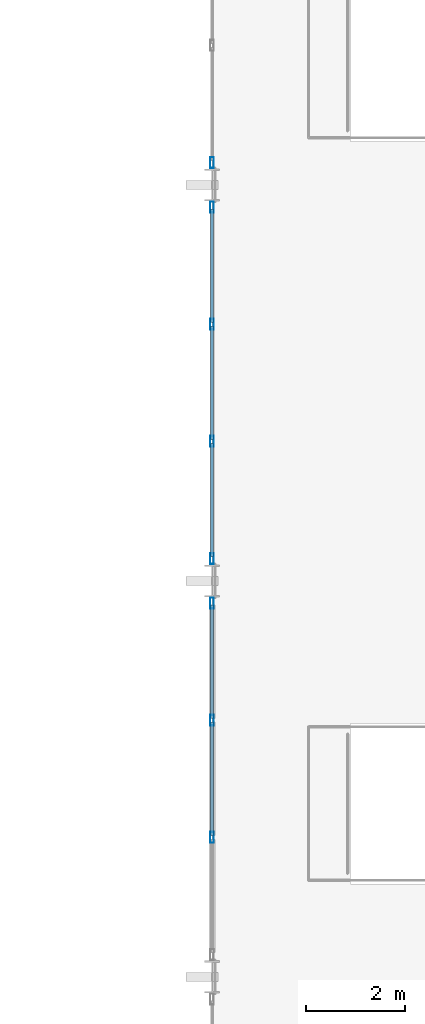
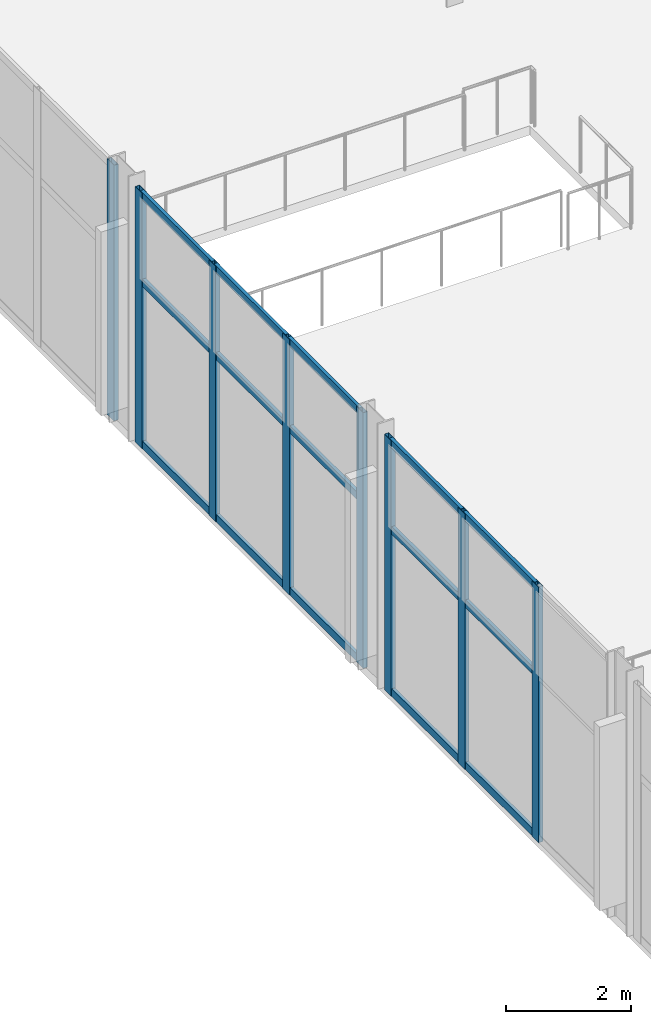
# One storey, part 47 of 195: 23 members, 3 elements without a shape of their own.
"""IFC4 building model written with IfcOpenShell, lengths in metres."""

from ifc_helpers import new_model, si_unit, direction, frame, origin, origin_2d, place, context, subcontext, project, spatial, hollow_rectangle, extrude, material, layer, layer_set, material_profile, profile_set, type_object, element, aggregate, save


model = new_model("IFC4")

# Units and contexts
model_context = context("Model", 3, precision=1e-05, world=origin(), true_north=direction((0.0, 1.0)))
body_context = subcontext(model_context, "Body", "Model", "MODEL_VIEW")
ifc_project = project(units=[si_unit("LENGTHUNIT", "METRE"), si_unit("AREAUNIT", "SQUARE_METRE"), si_unit("VOLUMEUNIT", "CUBIC_METRE"), si_unit("PLANEANGLEUNIT", "RADIAN"), si_unit("MASSUNIT", "GRAM", prefix="KILO")], contexts=[model_context])

# Site, building, storey
site_placement = place(None, origin())
site = spatial("IfcSite", under=ifc_project, at=site_placement, CompositionType="ELEMENT")
building_placement = place(site_placement, origin())
building = spatial("IfcBuilding", under=site, at=building_placement, Name="Marlcrest Central Station", CompositionType="ELEMENT")
storey_placement = place(building_placement, frame((0.0, 0.0, 9.800048828125)))
storey = spatial("IfcBuildingStorey", under=building, at=storey_placement, Name="L02", CompositionType="ELEMENT", Elevation=9.800048828125)

# Curtain wall, members
ifc_material_1 = material(Name="Anodised aluminium and hurricane laminated glass", Category="aluminium")
ifc_layer = layer(ifc_material_1, 0.219970703125, Name="CW-U1")
ifc_layer_set = layer_set([ifc_layer], Name="Anodised aluminium and hurricane laminated glass")
curtain_wall_type = type_object("IfcCurtainWallType", Name="CW-U1", PredefinedType="USERDEFINED", material=ifc_layer_set)
curtain_wall_1_placement = place(storey_placement, origin())
curtain_wall_1 = element("IfcCurtainWall", 1, at=curtain_wall_1_placement, inside=storey, type_object=curtain_wall_type, Name="cw-L02-0119", ObjectType="UNITISED_CURTAIN_WALL", PredefinedType="USERDEFINED")
ifc_material_2 = material(Name="Anodised aluminium 6063-T6", Category="aluminium")
ifc_material_profile_1 = material_profile(ifc_material_2, hollow_rectangle(XDim=0.080078125, YDim=0.219970703125, WallThickness=0.006103515625, at=origin_2d()), Name="AA-RHS 220x80x6")
ifc_profile_set_1 = profile_set([ifc_material_profile_1], Name="Anodised aluminium 6063-T6")
member_type_1 = type_object("IfcMemberType", Name="ML-01", PredefinedType="MULLION", material=ifc_profile_set_1)
member_1_placement = place(storey_placement, frame((87.0, 65.316650390625, -0.030029296875), z_axis=(0.0, 0.0, 1.0), x_axis=(1.0, 0.0, 0.0)))
member_1 = element("IfcMember", 2, at=member_1_placement, type_object=member_type_1, Name="cw-L02-0119-ml-1", PredefinedType="MULLION", context=body_context, shape_type="SweptSolid", body=[
    extrude(hollow_rectangle(XDim=0.080078125, YDim=0.219970703125, WallThickness=0.006103515625, at=origin_2d()), origin(), (0.0, 0.0, 1.0), 5.010009765625),
])
member_2_placement = place(storey_placement, frame((87.0, 67.683349609375, -0.030029296875), z_axis=(0.0, 0.0, 1.0), x_axis=(1.0, 0.0, 0.0)))
member_2 = element("IfcMember", 3, at=member_2_placement, type_object=member_type_1, Name="cw-L02-0119-ml-2", PredefinedType="MULLION", context=body_context, shape_type="SweptSolid", body=[
    extrude(hollow_rectangle(XDim=0.080078125, YDim=0.219970703125, WallThickness=0.006103515625, at=origin_2d()), origin(), (0.0, 0.0, 1.0), 5.010009765625),
])
member_3_placement = place(storey_placement, frame((87.0, 70.050048828125, -0.030029296875), z_axis=(0.0, 0.0, 1.0), x_axis=(1.0, 0.0, 0.0)))
member_3 = element("IfcMember", 4, at=member_3_placement, type_object=member_type_1, Name="cw-L02-0119-ml-3", PredefinedType="MULLION", context=body_context, shape_type="SweptSolid", body=[
    extrude(hollow_rectangle(XDim=0.080078125, YDim=0.219970703125, WallThickness=0.006103515625, at=origin_2d()), origin(), (0.0, 0.0, 1.0), 5.010009765625),
])

curtain_wall_2_placement = place(storey_placement, origin())
curtain_wall_2 = element("IfcCurtainWall", 5, at=curtain_wall_2_placement, inside=storey, type_object=curtain_wall_type, Name="cw-L02-0123", ObjectType="UNITISED_CURTAIN_WALL", PredefinedType="USERDEFINED")
member_4_placement = place(storey_placement, frame((87.0, 70.949951171875, -0.030029296875), z_axis=(0.0, 0.0, 1.0), x_axis=(1.0, 0.0, 0.0)))
member_4 = element("IfcMember", 6, at=member_4_placement, type_object=member_type_1, Name="cw-L02-0123-ml-0", PredefinedType="MULLION", context=body_context, shape_type="SweptSolid", body=[
    extrude(hollow_rectangle(XDim=0.080078125, YDim=0.219970703125, WallThickness=0.006103515625, at=origin_2d()), origin(), (0.0, 0.0, 1.0), 5.010009765625),
])
member_5_placement = place(storey_placement, frame((87.0, 73.316650390625, -0.030029296875), z_axis=(0.0, 0.0, 1.0), x_axis=(1.0, 0.0, 0.0)))
member_5 = element("IfcMember", 7, at=member_5_placement, type_object=member_type_1, Name="cw-L02-0123-ml-1", PredefinedType="MULLION", context=body_context, shape_type="SweptSolid", body=[
    extrude(hollow_rectangle(XDim=0.080078125, YDim=0.219970703125, WallThickness=0.006103515625, at=origin_2d()), origin(), (0.0, 0.0, 1.0), 5.010009765625),
])
member_6_placement = place(storey_placement, frame((87.0, 75.683349609375, -0.030029296875), z_axis=(0.0, 0.0, 1.0), x_axis=(1.0, 0.0, 0.0)))
member_6 = element("IfcMember", 8, at=member_6_placement, type_object=member_type_1, Name="cw-L02-0123-ml-2", PredefinedType="MULLION", context=body_context, shape_type="SweptSolid", body=[
    extrude(hollow_rectangle(XDim=0.080078125, YDim=0.219970703125, WallThickness=0.006103515625, at=origin_2d()), origin(), (0.0, 0.0, 1.0), 5.010009765625),
])
member_7_placement = place(storey_placement, frame((87.0, 78.050048828125, -0.030029296875), z_axis=(0.0, 0.0, 1.0), x_axis=(1.0, 0.0, 0.0)))
member_7 = element("IfcMember", 9, at=member_7_placement, type_object=member_type_1, Name="cw-L02-0123-ml-3", PredefinedType="MULLION", context=body_context, shape_type="SweptSolid", body=[
    extrude(hollow_rectangle(XDim=0.080078125, YDim=0.219970703125, WallThickness=0.006103515625, at=origin_2d()), origin(), (0.0, 0.0, 1.0), 5.010009765625),
])

# Curtain wall, member
curtain_wall_3_placement = place(storey_placement, origin())
curtain_wall_3 = element("IfcCurtainWall", 10, at=curtain_wall_3_placement, inside=storey, type_object=curtain_wall_type, Name="cw-L02-0127", ObjectType="UNITISED_CURTAIN_WALL", PredefinedType="USERDEFINED")
member_8_placement = place(storey_placement, frame((87.0, 78.949951171875, -0.030029296875), z_axis=(0.0, 0.0, 1.0), x_axis=(1.0, 0.0, 0.0)))
member_8 = element("IfcMember", 11, at=member_8_placement, type_object=member_type_1, Name="cw-L02-0127-ml-0", PredefinedType="MULLION", context=body_context, shape_type="SweptSolid", body=[
    extrude(hollow_rectangle(XDim=0.080078125, YDim=0.219970703125, WallThickness=0.006103515625, at=origin_2d()), origin(), (0.0, 0.0, 1.0), 5.010009765625),
])
aggregate(curtain_wall_3, [member_8])

# Member
ifc_material_profile_2 = material_profile(ifc_material_2, hollow_rectangle(XDim=0.06005859375, YDim=0.14990234375, WallThickness=0.00390625, at=origin_2d()), Name="AA-RHS 150x60x4")
ifc_profile_set_2 = profile_set([ifc_material_profile_2], Name="Anodised aluminium 6063-T6")
member_type_2 = type_object("IfcMemberType", Name="TR-01", PredefinedType="USERDEFINED", material=ifc_profile_set_2)
member_9_placement = place(storey_placement, frame((87.0, 65.354736328125, 0.0400390625), z_axis=(0.0, 1.0, 0.0), x_axis=(-1.0, 0.0, 0.0)))
member_9 = element("IfcMember", 12, at=member_9_placement, type_object=member_type_2, Name="cw-L02-0119-tr-1-sill", ObjectType="TRANSOM", PredefinedType="USERDEFINED", context=body_context, shape_type="SweptSolid", body=[
    extrude(hollow_rectangle(XDim=0.06005859375, YDim=0.14990234375, WallThickness=0.00390625, at=origin_2d()), origin(), (0.0, 0.0, 1.0), 2.29052734375),
])

member_10_placement = place(storey_placement, frame((87.0, 65.354736328125, 3.218017578125), z_axis=(0.0, 1.0, 0.0), x_axis=(-1.0, 0.0, 0.0)))
member_10 = element("IfcMember", 13, at=member_10_placement, type_object=member_type_2, Name="cw-L02-0119-tr-1-mid", ObjectType="TRANSOM", PredefinedType="USERDEFINED", context=body_context, shape_type="SweptSolid", body=[
    extrude(hollow_rectangle(XDim=0.06005859375, YDim=0.14990234375, WallThickness=0.00390625, at=origin_2d()), origin(), (0.0, 0.0, 1.0), 2.29052734375),
])

member_11_placement = place(storey_placement, frame((87.0, 65.354736328125, 4.909912109375), z_axis=(0.0, 1.0, 0.0), x_axis=(-1.0, 0.0, 0.0)))
member_11 = element("IfcMember", 14, at=member_11_placement, type_object=member_type_2, Name="cw-L02-0119-tr-1-head", ObjectType="TRANSOM", PredefinedType="USERDEFINED", context=body_context, shape_type="SweptSolid", body=[
    extrude(hollow_rectangle(XDim=0.06005859375, YDim=0.14990234375, WallThickness=0.00390625, at=origin_2d()), origin(), (0.0, 0.0, 1.0), 2.29052734375),
])

member_12_placement = place(storey_placement, frame((87.0, 67.72119140625, 0.0400390625), z_axis=(0.0, 1.0, 0.0), x_axis=(-1.0, 0.0, 0.0)))
member_12 = element("IfcMember", 15, at=member_12_placement, type_object=member_type_2, Name="cw-L02-0119-tr-2-sill", ObjectType="TRANSOM", PredefinedType="USERDEFINED", context=body_context, shape_type="SweptSolid", body=[
    extrude(hollow_rectangle(XDim=0.06005859375, YDim=0.14990234375, WallThickness=0.00390625, at=origin_2d()), origin(), (0.0, 0.0, 1.0), 2.290771484375),
])

member_13_placement = place(storey_placement, frame((87.0, 67.72119140625, 3.218017578125), z_axis=(0.0, 1.0, 0.0), x_axis=(-1.0, 0.0, 0.0)))
member_13 = element("IfcMember", 16, at=member_13_placement, type_object=member_type_2, Name="cw-L02-0119-tr-2-mid", ObjectType="TRANSOM", PredefinedType="USERDEFINED", context=body_context, shape_type="SweptSolid", body=[
    extrude(hollow_rectangle(XDim=0.06005859375, YDim=0.14990234375, WallThickness=0.00390625, at=origin_2d()), origin(), (0.0, 0.0, 1.0), 2.290771484375),
])

member_14_placement = place(storey_placement, frame((87.0, 67.72119140625, 4.909912109375), z_axis=(0.0, 1.0, 0.0), x_axis=(-1.0, 0.0, 0.0)))
member_14 = element("IfcMember", 17, at=member_14_placement, type_object=member_type_2, Name="cw-L02-0119-tr-2-head", ObjectType="TRANSOM", PredefinedType="USERDEFINED", context=body_context, shape_type="SweptSolid", body=[
    extrude(hollow_rectangle(XDim=0.06005859375, YDim=0.14990234375, WallThickness=0.00390625, at=origin_2d()), origin(), (0.0, 0.0, 1.0), 2.290771484375),
])

aggregate(curtain_wall_1, [member_1, member_2, member_3, member_9, member_10, member_11, member_12, member_13, member_14])

member_15_placement = place(storey_placement, frame((87.0, 70.988037109375, 0.0400390625), z_axis=(0.0, 1.0, 0.0), x_axis=(-1.0, 0.0, 0.0)))
member_15 = element("IfcMember", 18, at=member_15_placement, type_object=member_type_2, Name="cw-L02-0123-tr-0-sill", ObjectType="TRANSOM", PredefinedType="USERDEFINED", context=body_context, shape_type="SweptSolid", body=[
    extrude(hollow_rectangle(XDim=0.06005859375, YDim=0.14990234375, WallThickness=0.00390625, at=origin_2d()), origin(), (0.0, 0.0, 1.0), 2.290771484375),
])

member_16_placement = place(storey_placement, frame((87.0, 70.988037109375, 3.218017578125), z_axis=(0.0, 1.0, 0.0), x_axis=(-1.0, 0.0, 0.0)))
member_16 = element("IfcMember", 19, at=member_16_placement, type_object=member_type_2, Name="cw-L02-0123-tr-0-mid", ObjectType="TRANSOM", PredefinedType="USERDEFINED", context=body_context, shape_type="SweptSolid", body=[
    extrude(hollow_rectangle(XDim=0.06005859375, YDim=0.14990234375, WallThickness=0.00390625, at=origin_2d()), origin(), (0.0, 0.0, 1.0), 2.290771484375),
])

member_17_placement = place(storey_placement, frame((87.0, 70.988037109375, 4.909912109375), z_axis=(0.0, 1.0, 0.0), x_axis=(-1.0, 0.0, 0.0)))
member_17 = element("IfcMember", 20, at=member_17_placement, type_object=member_type_2, Name="cw-L02-0123-tr-0-head", ObjectType="TRANSOM", PredefinedType="USERDEFINED", context=body_context, shape_type="SweptSolid", body=[
    extrude(hollow_rectangle(XDim=0.06005859375, YDim=0.14990234375, WallThickness=0.00390625, at=origin_2d()), origin(), (0.0, 0.0, 1.0), 2.290771484375),
])

member_18_placement = place(storey_placement, frame((87.0, 73.354736328125, 0.0400390625), z_axis=(0.0, 1.0, 0.0), x_axis=(-1.0, 0.0, 0.0)))
member_18 = element("IfcMember", 21, at=member_18_placement, type_object=member_type_2, Name="cw-L02-0123-tr-1-sill", ObjectType="TRANSOM", PredefinedType="USERDEFINED", context=body_context, shape_type="SweptSolid", body=[
    extrude(hollow_rectangle(XDim=0.06005859375, YDim=0.14990234375, WallThickness=0.00390625, at=origin_2d()), origin(), (0.0, 0.0, 1.0), 2.29052734375),
])

member_19_placement = place(storey_placement, frame((87.0, 73.354736328125, 3.218017578125), z_axis=(0.0, 1.0, 0.0), x_axis=(-1.0, 0.0, 0.0)))
member_19 = element("IfcMember", 22, at=member_19_placement, type_object=member_type_2, Name="cw-L02-0123-tr-1-mid", ObjectType="TRANSOM", PredefinedType="USERDEFINED", context=body_context, shape_type="SweptSolid", body=[
    extrude(hollow_rectangle(XDim=0.06005859375, YDim=0.14990234375, WallThickness=0.00390625, at=origin_2d()), origin(), (0.0, 0.0, 1.0), 2.29052734375),
])

member_20_placement = place(storey_placement, frame((87.0, 73.354736328125, 4.909912109375), z_axis=(0.0, 1.0, 0.0), x_axis=(-1.0, 0.0, 0.0)))
member_20 = element("IfcMember", 23, at=member_20_placement, type_object=member_type_2, Name="cw-L02-0123-tr-1-head", ObjectType="TRANSOM", PredefinedType="USERDEFINED", context=body_context, shape_type="SweptSolid", body=[
    extrude(hollow_rectangle(XDim=0.06005859375, YDim=0.14990234375, WallThickness=0.00390625, at=origin_2d()), origin(), (0.0, 0.0, 1.0), 2.29052734375),
])

member_21_placement = place(storey_placement, frame((87.0, 75.72119140625, 0.0400390625), z_axis=(0.0, 1.0, 0.0), x_axis=(-1.0, 0.0, 0.0)))
member_21 = element("IfcMember", 24, at=member_21_placement, type_object=member_type_2, Name="cw-L02-0123-tr-2-sill", ObjectType="TRANSOM", PredefinedType="USERDEFINED", context=body_context, shape_type="SweptSolid", body=[
    extrude(hollow_rectangle(XDim=0.06005859375, YDim=0.14990234375, WallThickness=0.00390625, at=origin_2d()), origin(), (0.0, 0.0, 1.0), 2.290771484375),
])

member_22_placement = place(storey_placement, frame((87.0, 75.72119140625, 3.218017578125), z_axis=(0.0, 1.0, 0.0), x_axis=(-1.0, 0.0, 0.0)))
member_22 = element("IfcMember", 25, at=member_22_placement, type_object=member_type_2, Name="cw-L02-0123-tr-2-mid", ObjectType="TRANSOM", PredefinedType="USERDEFINED", context=body_context, shape_type="SweptSolid", body=[
    extrude(hollow_rectangle(XDim=0.06005859375, YDim=0.14990234375, WallThickness=0.00390625, at=origin_2d()), origin(), (0.0, 0.0, 1.0), 2.290771484375),
])

member_23_placement = place(storey_placement, frame((87.0, 75.72119140625, 4.909912109375), z_axis=(0.0, 1.0, 0.0), x_axis=(-1.0, 0.0, 0.0)))
member_23 = element("IfcMember", 26, at=member_23_placement, type_object=member_type_2, Name="cw-L02-0123-tr-2-head", ObjectType="TRANSOM", PredefinedType="USERDEFINED", context=body_context, shape_type="SweptSolid", body=[
    extrude(hollow_rectangle(XDim=0.06005859375, YDim=0.14990234375, WallThickness=0.00390625, at=origin_2d()), origin(), (0.0, 0.0, 1.0), 2.290771484375),
])

aggregate(curtain_wall_2, [member_4, member_5, member_6, member_7, member_15, member_16, member_17, member_18, member_19, member_20, member_21, member_22, member_23])

save(model, "model.ifc")
